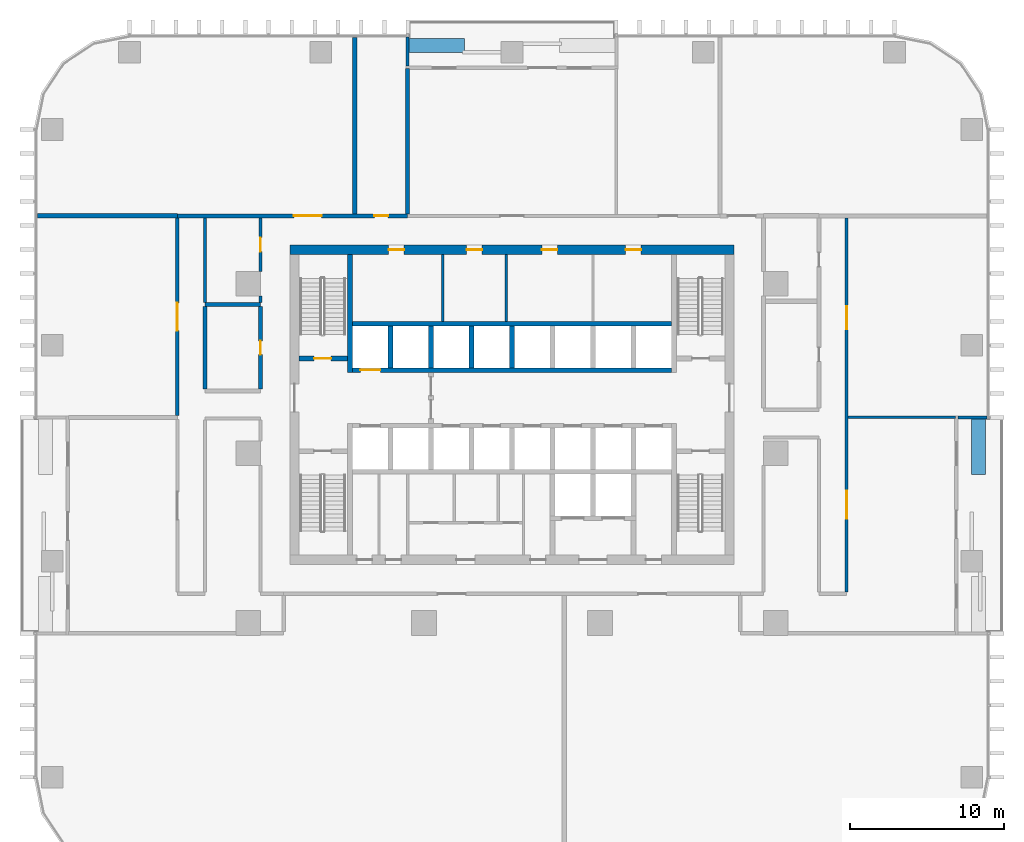
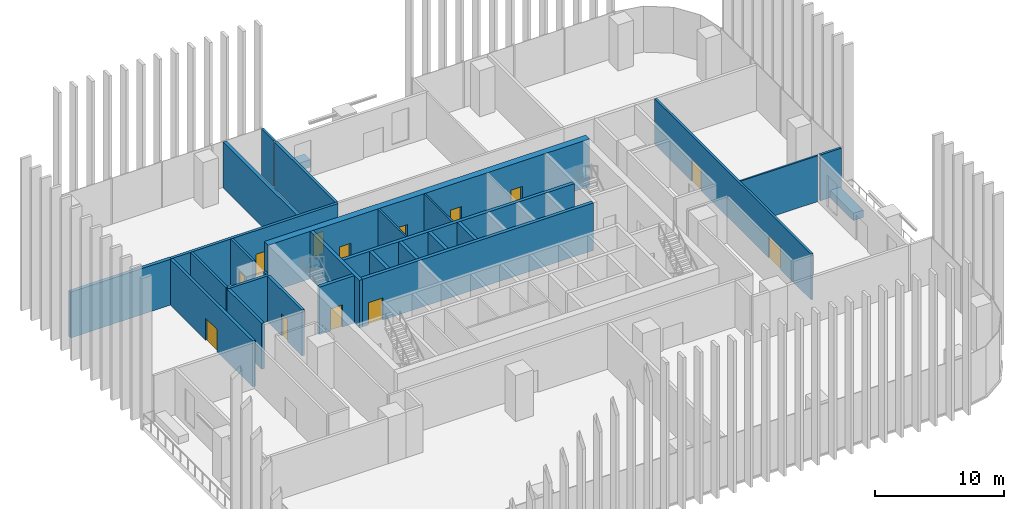
# One storey, part 9 of 17: 28 walls, 13 doors, 13 openings.
"""IFC4 building model written with IfcOpenShell, lengths in metres."""

import ifcopenshell
import ifcopenshell.guid

model = None  # the IFC model being written
_history = None  # IfcOwnerHistory: only IFC2X3 demands one
_inside = {}  # id of a spatial element -> (the spatial element, [elements in it])
_under = {}  # id of a project, library or spatial element -> (it, [spatial elements below it])
_declared = {}  # id of a project -> (the project, [libraries it declares])
_typed = {}  # id of a type object -> (the type object, [elements of that type])
_made_of = {}  # id of a material, layer set ... -> (it, [elements and type objects made of it])


def new_model(schema):
    """Start an empty IFC model of exactly this schema.

    Asked for "IFC4X3", IfcOpenShell would pick the latest addendum, in which some entities
    have other attributes; the version numbers below select the first issue.
    IFC2X3 requires an IfcOwnerHistory on every rooted entity: one is made here for all.
    """
    global model, _history
    if schema == "IFC4X3":
        model = ifcopenshell.file(schema_version=(4, 3, 0, 0))
    else:
        model = ifcopenshell.file(schema=schema)
    _inside.clear()
    _under.clear()
    _declared.clear()
    _typed.clear()
    _made_of.clear()
    _history = None
    if model.schema == "IFC2X3":
        org = make("IfcOrganization", Name="unknown")
        user = make(
            "IfcPersonAndOrganization",
            ThePerson=make("IfcPerson", FamilyName="unknown"),
            TheOrganization=org,
        )
        app = make(
            "IfcApplication",
            ApplicationDeveloper=org,
            Version="unknown",
            ApplicationFullName="unknown",
            ApplicationIdentifier="unknown",
        )
        _history = make(
            "IfcOwnerHistory",
            OwningUser=user,
            OwningApplication=app,
            ChangeAction="ADDED",
            CreationDate=0,
        )
    return model


def make(cls, **values):
    """One entity of the class cls with the attributes given. An attribute that is None is left unset."""
    return model.create_entity(
        cls, **{name: value for name, value in values.items() if value is not None}
    )


def rooted(cls, **values):
    """An entity with a GlobalId (a new one), such as an element, a storey or a relation."""
    return make(cls, GlobalId=ifcopenshell.guid.new(), OwnerHistory=_history, **values)


def si_unit(unit_type, name, prefix=None):
    """IfcSIUnit, for example si_unit("LENGTHUNIT", "METRE", prefix="MILLI")."""
    return make("IfcSIUnit", UnitType=unit_type, Prefix=prefix, Name=name)


def assignment(units):
    """IfcUnitAssignment: the units of a project."""
    return None if units is None else make("IfcUnitAssignment", Units=units)


def point(xyz):
    """IfcCartesianPoint."""
    return None if xyz is None else make("IfcCartesianPoint", Coordinates=xyz)


def direction(xyz):
    """IfcDirection."""
    return None if xyz is None else make("IfcDirection", DirectionRatios=xyz)


def frame(location, z_axis=None, x_axis=None):
    """IfcAxis2Placement3D, a coordinate frame: its origin and axes. An axis left out is left unset."""
    return make(
        "IfcAxis2Placement3D",
        Location=point(location),
        Axis=direction(z_axis),
        RefDirection=direction(x_axis),
    )


def frame_2d(location, x_axis=None):
    """IfcAxis2Placement2D, a coordinate frame in the plane: its origin and x axis."""
    return make(
        "IfcAxis2Placement2D", Location=point(location), RefDirection=direction(x_axis)
    )


def origin():
    """The frame at (0, 0, 0) with its axes left unset."""
    return frame((0.0, 0.0, 0.0))


def place(relative_to, where):
    """IfcLocalPlacement: puts the frame where relative to a parent placement (None: the world)."""
    return make(
        "IfcLocalPlacement", PlacementRelTo=relative_to, RelativePlacement=where
    )


def context(
    kind, dimensions, precision=None, world=None, true_north=None, identifier=None
):
    """IfcGeometricRepresentationContext, for example the 3D "Model" context."""
    return make(
        "IfcGeometricRepresentationContext",
        ContextIdentifier=identifier,
        ContextType=kind,
        CoordinateSpaceDimension=dimensions,
        Precision=precision,
        WorldCoordinateSystem=world,
        TrueNorth=true_north,
    )


def subcontext(parent, identifier, kind, view, scale=None):
    """IfcGeometricRepresentationSubContext, for example "Body" below "Model"."""
    return make(
        "IfcGeometricRepresentationSubContext",
        ContextIdentifier=identifier,
        ContextType=kind,
        ParentContext=parent,
        TargetScale=scale,
        TargetView=view,
    )


def project(units=None, contexts=None):
    """IfcProject with its units and contexts."""
    return rooted(
        "IfcProject",
        Name="project",
        RepresentationContexts=contexts,
        UnitsInContext=assignment(units),
    )


def spatial(cls, under=None, at=None, **own):
    """A site, building, storey or space (cls), placed at a placement, below another one or the project."""
    s = rooted(cls, ObjectPlacement=at, **own)
    if under is not None:
        _under.setdefault(under.id(), (under, []))[1].append(s)
    return s


def profile(cls, at=None, kind="AREA", **sizes):
    """A parametric profile (cls). Its sizes go by their IFC names, for example OverallWidth=200.0."""
    return make(cls, ProfileType=kind, Position=at, **sizes)


def rectangle(**sizes):
    """IfcRectangleProfileDef."""
    return profile("IfcRectangleProfileDef", **sizes)


def extrude(swept, where, along, depth):
    """IfcExtrudedAreaSolid: the profile swept, set in the frame where, extruded along a direction by depth."""
    return make(
        "IfcExtrudedAreaSolid",
        SweptArea=swept,
        Position=where,
        ExtrudedDirection=direction(along),
        Depth=depth,
    )


def shape(context_of_items, identifier, shape_type, items):
    """IfcShapeRepresentation: the items that make up one representation, for example the "Body"."""
    return make(
        "IfcShapeRepresentation",
        ContextOfItems=context_of_items,
        RepresentationIdentifier=identifier,
        RepresentationType=shape_type,
        Items=items,
    )


def material(Name=None, Category=None):
    """IfcMaterial."""
    return make("IfcMaterial", Name=Name, Category=Category)


def layer(
    of_material, thickness, ventilated=None, Name=None, Category=None, Priority=None
):
    """IfcMaterialLayer: one layer of a wall or slab, of a material (None: an air gap)."""
    return make(
        "IfcMaterialLayer",
        Material=of_material,
        LayerThickness=thickness,
        IsVentilated=ventilated,
        Name=Name,
        Category=Category,
        Priority=Priority,
    )


def layer_set(layers, Name=None):
    """IfcMaterialLayerSet."""
    return make("IfcMaterialLayerSet", MaterialLayers=layers, LayerSetName=Name)


def made_of(thing, what):
    """Note that an element or type object is made of a material, layer set ...; save() writes the relation."""
    if what is not None:
        _made_of.setdefault(what.id(), (what, []))[1].append(thing)
    return thing


def type_object(cls, material=None, **own):
    """A type object (cls), such as IfcWallType, which elements share."""
    return made_of(rooted(cls, **own), material)


def element(
    cls,
    number,
    at=None,
    inside=None,
    cuts=None,
    type_object=None,
    material=None,
    context=None,
    identifier="Body",
    shape_type=None,
    held_by="IfcProductDefinitionShape",
    body=None,
    shapes=None,
    **own,
):
    """One element of the class cls, such as IfcWall. Its Tag is "e" and its number.

    at: its placement. inside: the storey or other place that contains it. cuts: it is an
    opening in that element (IfcRelVoidsElement). A single representation is given by context,
    identifier, shape_type and body (its items); several are given by shapes. held_by: the class
    of the entity that holds the representations. save() writes the other relations.
    """
    e = rooted(cls, Tag="e%d" % number, ObjectPlacement=at, **own)
    if body is not None:
        shapes = [shape(context, identifier, shape_type, body)]
    if shapes is not None:
        e.Representation = make(held_by, Representations=shapes)
    if inside is not None:
        _inside.setdefault(inside.id(), (inside, []))[1].append(e)
    if cuts is not None:
        rooted(
            "IfcRelVoidsElement", RelatingBuildingElement=cuts, RelatedOpeningElement=e
        )
    if type_object is not None:
        _typed.setdefault(type_object.id(), (type_object, []))[1].append(e)
    return made_of(e, material)


def fill(opening, filler):
    """IfcRelFillsElement: the door or window that sits in an opening."""
    return rooted(
        "IfcRelFillsElement",
        RelatingOpeningElement=opening,
        RelatedBuildingElement=filler,
    )


def aggregate(whole, parts):
    """IfcRelAggregates: a whole, such as a stair, and the parts it consists of."""
    return rooted("IfcRelAggregates", RelatingObject=whole, RelatedObjects=parts)


def save(model, path):
    """Write the relations noted so far, then the file.

    IfcRelAggregates (storeys below a building ...), IfcRelContainedInSpatialStructure (elements
    in a storey), IfcRelDefinesByType, IfcRelAssociatesMaterial and IfcRelDeclares: one each for
    every whole, place, type object, material and project.
    """
    for whole, parts in _under.values():
        aggregate(whole, parts)
    for where, things in _inside.values():
        rooted(
            "IfcRelContainedInSpatialStructure",
            RelatedElements=things,
            RelatingStructure=where,
        )
    for kind, things in _typed.values():
        rooted("IfcRelDefinesByType", RelatedObjects=things, RelatingType=kind)
    for what, things in _made_of.values():
        rooted("IfcRelAssociatesMaterial", RelatedObjects=things, RelatingMaterial=what)
    for by, libraries in _declared.values():
        rooted("IfcRelDeclares", RelatingContext=by, RelatedDefinitions=libraries)
    model.write(path)


model = new_model("IFC4")

# Units and contexts
model_context = context("Model", 3, precision=1e-05, world=origin(), true_north=direction((0.0, 1.0)))
body_context = subcontext(model_context, "Body", "Model", "MODEL_VIEW")
ifc_project = project(units=[si_unit("LENGTHUNIT", "METRE"), si_unit("AREAUNIT", "SQUARE_METRE"), si_unit("VOLUMEUNIT", "CUBIC_METRE"), si_unit("PLANEANGLEUNIT", "RADIAN"), si_unit("MASSUNIT", "GRAM", prefix="KILO")], contexts=[model_context])

# Site, building, storey
site_placement = place(None, origin())
site = spatial("IfcSite", under=ifc_project, at=site_placement, CompositionType="ELEMENT")
building_placement = place(site_placement, origin())
building = spatial("IfcBuilding", under=site, at=building_placement, Name="Mopane Tessera Tower", CompositionType="ELEMENT")
storey_placement = place(building_placement, frame((0.0, 0.0, 31.0)))
storey = spatial("IfcBuildingStorey", under=building, at=storey_placement, Name="L05", CompositionType="ELEMENT", Elevation=31.0)

# Walls
ifc_material_1 = material(Name="Fire-rated gypsum board partition")
ifc_layer_1 = layer(ifc_material_1, 0.14990234375)
ifc_layer_set_1 = layer_set([ifc_layer_1], Name="Fire-rated gypsum board partition")
wall_type_1 = type_object("IfcWallType", Name="Core room partition 150 mm", PredefinedType="PARTITIONING", material=ifc_layer_set_1)
for number, where, z_axis, x_axis, name in (
    (1, (-4.5, 8.550048828125, 0.0), (0.0, 0.0, 1.0), (0.0, 1.0, 0.0), "L05 Room partition"),
    (2, (-0.375, 8.550048828125, 0.0), (0.0, 0.0, 1.0), (0.0, 1.0, 0.0), "L05 Room partition"),
):
    element("IfcWall", number, at=place(storey_placement, frame(where, z_axis=z_axis, x_axis=x_axis)), inside=storey, type_object=wall_type_1, Name=name, PredefinedType="PARTITIONING", context=body_context, shape_type="SweptSolid", body=[
        extrude(rectangle(XDim=4.349853515625, YDim=0.14990234375, at=frame_2d((2.1748046875, 0.0))), origin(), (0.0, 0.0, 1.0), 4.5),
    ])

# Wall, openings, doors
ifc_material_2 = material(Name="Concrete C70/85", Category="concrete")
ifc_layer_2 = layer(ifc_material_2, 0.60009765625)
ifc_layer_set_2 = layer_set([ifc_layer_2], Name="Concrete C70/85")
wall_type_2 = type_object("IfcWallType", Name="Core shear wall 600 mm", PredefinedType="SHEAR", material=ifc_layer_set_2)
wall_1_placement = place(storey_placement, frame((-14.39990234375, 13.199951171875, 0.0), z_axis=(0.0, 0.0, 1.0), x_axis=(1.0, 0.0, 0.0)))
wall_1 = element("IfcWall", 3, at=wall_1_placement, inside=storey, type_object=wall_type_2, Name="L05 Core wall north", PredefinedType="SHEAR", context=body_context, shape_type="SweptSolid", body=[
    extrude(rectangle(XDim=28.7998046875, YDim=0.60009765625, at=frame_2d((14.39990234375, 0.0))), origin(), (0.0, 0.0, 1.0), 4.5),
])
opening_1_placement = place(wall_1_placement, frame((6.39990234375, 0.0, 0.0)))
opening_1 = element("IfcOpeningElement", 4, at=opening_1_placement, cuts=wall_1, Name="Opening RD1", PredefinedType="OPENING", context=body_context, shape_type="SweptSolid", body=[
    extrude(rectangle(XDim=1.0, YDim=2.10009765625, at=frame_2d((0.5, 1.050048828125))), frame((0.0, 0.31201171875, 0.0), z_axis=(0.0, -1.0, 0.0), x_axis=(1.0, 0.0, 0.0)), (0.0, 0.0, 1.0), 0.6240234375),
])
opening_2_placement = place(wall_1_placement, frame((11.46240234375, 0.0, 0.0)))
opening_2 = element("IfcOpeningElement", 5, at=opening_2_placement, cuts=wall_1, Name="Opening RD1", PredefinedType="OPENING", context=body_context, shape_type="SweptSolid", body=[
    extrude(rectangle(XDim=1.0, YDim=2.10009765625, at=frame_2d((0.5, 1.050048828125))), frame((0.0, 0.31201171875, 0.0), z_axis=(0.0, -1.0, 0.0), x_axis=(1.0, 0.0, 0.0)), (0.0, 0.0, 1.0), 0.6240234375),
])
opening_3_placement = place(wall_1_placement, frame((16.33740234375, 0.0, 0.0)))
opening_3 = element("IfcOpeningElement", 6, at=opening_3_placement, cuts=wall_1, Name="Opening RD1", PredefinedType="OPENING", context=body_context, shape_type="SweptSolid", body=[
    extrude(rectangle(XDim=1.0, YDim=2.10009765625, at=frame_2d((0.5, 1.050048828125))), frame((0.0, 0.31201171875, 0.0), z_axis=(0.0, -1.0, 0.0), x_axis=(1.0, 0.0, 0.0)), (0.0, 0.0, 1.0), 0.6240234375),
])
opening_4_placement = place(wall_1_placement, frame((21.77490234375, 0.0, 0.0)))
opening_4 = element("IfcOpeningElement", 7, at=opening_4_placement, cuts=wall_1, Name="Opening RD1", PredefinedType="OPENING", context=body_context, shape_type="SweptSolid", body=[
    extrude(rectangle(XDim=1.0, YDim=2.10009765625, at=frame_2d((0.5, 1.050048828125))), frame((0.0, 0.31201171875, 0.0), z_axis=(0.0, -1.0, 0.0), x_axis=(1.0, 0.0, 0.0)), (0.0, 0.0, 1.0), 0.6240234375),
])
ifc_material_3 = material(Name="Timber door", Category="wood")
door_type_1 = type_object("IfcDoorType", Name="Core room door 1000 x 2100", OperationType="SINGLE_SWING_LEFT", PredefinedType="DOOR", material=ifc_material_3)
door_1_placement = place(opening_1_placement, origin())
door_1 = element("IfcDoor", 8, at=door_1_placement, inside=storey, type_object=door_type_1, Name="L05 Room door", OperationType="SINGLE_SWING_LEFT", OverallHeight=2.10009765625, OverallWidth=1.0, PredefinedType="DOOR", context=body_context, shape_type="SweptSolid", body=[
    extrude(rectangle(XDim=1.0, YDim=2.10009765625, at=frame_2d((0.5, 1.050048828125))), frame((0.0, 0.02490234375, 0.0), z_axis=(0.0, -1.0, 0.0), x_axis=(1.0, 0.0, 0.0)), (0.0, 0.0, 1.0), 0.050048828125),
])
fill(opening_1, door_1)
door_2_placement = place(opening_2_placement, origin())
door_2 = element("IfcDoor", 9, at=door_2_placement, inside=storey, type_object=door_type_1, Name="L05 Room door", OperationType="SINGLE_SWING_LEFT", OverallHeight=2.10009765625, OverallWidth=1.0, PredefinedType="DOOR", context=body_context, shape_type="SweptSolid", body=[
    extrude(rectangle(XDim=1.0, YDim=2.10009765625, at=frame_2d((0.5, 1.050048828125))), frame((0.0, 0.02490234375, 0.0), z_axis=(0.0, -1.0, 0.0), x_axis=(1.0, 0.0, 0.0)), (0.0, 0.0, 1.0), 0.050048828125),
])
fill(opening_2, door_2)
door_3_placement = place(opening_3_placement, origin())
door_3 = element("IfcDoor", 10, at=door_3_placement, inside=storey, type_object=door_type_1, Name="L05 Room door", OperationType="SINGLE_SWING_LEFT", OverallHeight=2.10009765625, OverallWidth=1.0, PredefinedType="DOOR", context=body_context, shape_type="SweptSolid", body=[
    extrude(rectangle(XDim=1.0, YDim=2.10009765625, at=frame_2d((0.5, 1.050048828125))), frame((0.0, 0.02490234375, 0.0), z_axis=(0.0, -1.0, 0.0), x_axis=(1.0, 0.0, 0.0)), (0.0, 0.0, 1.0), 0.050048828125),
])
fill(opening_3, door_3)
door_4_placement = place(opening_4_placement, origin())
door_4 = element("IfcDoor", 11, at=door_4_placement, inside=storey, type_object=door_type_1, Name="L05 Room door", OperationType="SINGLE_SWING_LEFT", OverallHeight=2.10009765625, OverallWidth=1.0, PredefinedType="DOOR", context=body_context, shape_type="SweptSolid", body=[
    extrude(rectangle(XDim=1.0, YDim=2.10009765625, at=frame_2d((0.5, 1.050048828125))), frame((0.0, 0.02490234375, 0.0), z_axis=(0.0, -1.0, 0.0), x_axis=(1.0, 0.0, 0.0)), (0.0, 0.0, 1.0), 0.050048828125),
])
fill(opening_4, door_4)

# Walls
ifc_material_4 = material(Name="Concrete C60/75", Category="concrete")
ifc_layer_3 = layer(ifc_material_4, 0.300048828125)
ifc_layer_set_3 = layer_set([ifc_layer_3], Name="Concrete C60/75")
wall_type_3 = type_object("IfcWallType", Name="Core spine wall 300 mm", PredefinedType="SHEAR", material=ifc_layer_set_3)
wall_2_placement = place(storey_placement, frame((-10.5, 5.25, 0.0), z_axis=(0.0, 0.0, 1.0), x_axis=(0.0, 1.0, 0.0)))
element("IfcWall", 12, at=wall_2_placement, inside=storey, type_object=wall_type_3, Name="L05 Core spine wall", PredefinedType="SHEAR", context=body_context, shape_type="SweptSolid", body=[
    extrude(rectangle(XDim=7.64990234375, YDim=0.300048828125, at=frame_2d((3.824951171875, 0.0))), origin(), (0.0, 0.0, 1.0), 4.5),
])
ifc_material_5 = material(Name="Gypsum board on steel studs, two layers each face, mineral wool infill", Category="steel")
ifc_layer_4 = layer(ifc_material_5, 0.199951171875)
ifc_layer_set_4 = layer_set([ifc_layer_4], Name="Gypsum board on steel studs, two layers each face, mineral wool infill")
wall_type_4 = type_object("IfcWallType", Name="Gypsum board corridor wall 200, rated EI 60", PredefinedType="PARTITIONING", material=ifc_layer_set_4)
wall_3_placement = place(storey_placement, frame((-19.89990234375, 9.780029296875, 0.0), z_axis=(0.0, 0.0, 1.0), x_axis=(0.0, 1.0, 0.0)))
element("IfcWall", 13, at=wall_3_placement, inside=storey, type_object=wall_type_4, Name="Partition L05:026", PredefinedType="PARTITIONING", context=body_context, shape_type="SweptSolid", body=[
    extrude(rectangle(XDim=5.494873046875, YDim=0.199951171875, at=frame_2d((2.74755859375, 0.0))), origin(), (0.0, 0.0, 1.0), 4.35009765625),
])
wall_4_placement = place(storey_placement, frame((-16.300048828125, 9.780029296875, 0.0), z_axis=(0.0, 0.0, 1.0), x_axis=(0.0, 1.0, 0.0)))
element("IfcWall", 14, at=wall_4_placement, inside=storey, type_object=wall_type_4, Name="Partition L05:030", PredefinedType="PARTITIONING", context=body_context, shape_type="SweptSolid", body=[
    extrude(rectangle(XDim=0.419921875, YDim=0.199951171875, at=frame_2d((0.2099609375, 0.0))), origin(), (0.0, 0.0, 1.0), 4.35009765625),
])

# Wall, opening, door
wall_5_placement = place(storey_placement, frame((-16.300048828125, 11.800048828125, 0.0), z_axis=(0.0, 0.0, 1.0), x_axis=(0.0, 1.0, 0.0)))
wall_5 = element("IfcWall", 15, at=wall_5_placement, inside=storey, type_object=wall_type_4, Name="Partition L05:031", PredefinedType="PARTITIONING", context=body_context, shape_type="SweptSolid", body=[
    extrude(rectangle(XDim=3.474853515625, YDim=0.199951171875, at=frame_2d((1.7373046875, 0.0))), origin(), (0.0, 0.0, 1.0), 4.35009765625),
])
opening_5_placement = place(wall_5_placement, frame((1.28759765625, 0.0, 0.0)))
opening_5 = element("IfcOpeningElement", 16, at=opening_5_placement, cuts=wall_5, Name="Opening L05-14", PredefinedType="OPENING", context=body_context, shape_type="SweptSolid", body=[
    extrude(rectangle(XDim=0.89990234375, YDim=2.10009765625, at=frame_2d((0.449951171875, 1.050048828125))), frame((0.0, 0.112060546875, 0.0), z_axis=(0.0, -1.0, 0.0), x_axis=(1.0, 0.0, 0.0)), (0.0, 0.0, 1.0), 0.223876953125),
])
ifc_material_6 = material(Name="Timber veneered steel-framed fire door", Category="steel")
door_type_2 = type_object("IfcDoorType", Name="Fire door FD60 900 x 2100", OperationType="SINGLE_SWING_LEFT", PredefinedType="DOOR", material=ifc_material_6)
door_5_placement = place(opening_5_placement, origin())
door_5 = element("IfcDoor", 17, at=door_5_placement, inside=storey, type_object=door_type_2, Name="Door L05-14", ObjectType="D10A", OperationType="SINGLE_SWING_LEFT", OverallHeight=2.10009765625, OverallWidth=0.89990234375, PredefinedType="DOOR", context=body_context, shape_type="SweptSolid", body=[
    extrude(rectangle(XDim=0.89990234375, YDim=2.10009765625, at=frame_2d((0.449951171875, 1.050048828125))), frame((0.0, 0.02490234375, 0.0), z_axis=(0.0, -1.0, 0.0), x_axis=(1.0, 0.0, 0.0)), (0.0, 0.0, 1.0), 0.050048828125),
])
fill(opening_5, door_5)

# Wall, openings, doors
wall_6_placement = place(storey_placement, frame((21.699951171875, -9.0, 0.0), z_axis=(0.0, 0.0, 1.0), x_axis=(0.0, 1.0, 0.0)))
wall_6 = element("IfcWall", 18, at=wall_6_placement, inside=storey, type_object=wall_type_4, Name="Partition L05:045", PredefinedType="PARTITIONING", context=body_context, shape_type="SweptSolid", body=[
    extrude(rectangle(XDim=24.27490234375, YDim=0.199951171875, at=frame_2d((12.137451171875, 0.0))), origin(), (0.0, 0.0, 1.0), 4.35009765625),
])
opening_6_placement = place(wall_6_placement, frame((4.767578125, 0.0, 0.0)))
opening_6 = element("IfcOpeningElement", 19, at=opening_6_placement, cuts=wall_6, Name="Opening L05-05", PredefinedType="OPENING", context=body_context, shape_type="SweptSolid", body=[
    extrude(rectangle(XDim=1.800048828125, YDim=2.10009765625, at=frame_2d((0.89990234375, 1.050048828125))), frame((0.0, 0.112060546875, 0.0), z_axis=(0.0, -1.0, 0.0), x_axis=(1.0, 0.0, 0.0)), (0.0, 0.0, 1.0), 0.223876953125),
])
opening_7_placement = place(wall_6_placement, frame((17.054931640625, 0.0, 0.0)))
opening_7 = element("IfcOpeningElement", 20, at=opening_7_placement, cuts=wall_6, Name="Opening L05-06", PredefinedType="OPENING", context=body_context, shape_type="SweptSolid", body=[
    extrude(rectangle(XDim=1.5, YDim=2.10009765625, at=frame_2d((0.75, 1.050048828125))), frame((0.0, 0.112060546875, 0.0), z_axis=(0.0, -1.0, 0.0), x_axis=(1.0, 0.0, 0.0)), (0.0, 0.0, 1.0), 0.223876953125),
])
ifc_material_7 = material(Name="Timber veneered steel-framed fire door", Category="steel")
door_type_3 = type_object("IfcDoorType", Name="Fire door pair FD60 1500 x 2100", OperationType="DOUBLE_DOOR_SINGLE_SWING", PredefinedType="DOOR", material=ifc_material_7)
door_6_placement = place(opening_7_placement, origin())
door_6 = element("IfcDoor", 21, at=door_6_placement, inside=storey, type_object=door_type_3, Name="Door L05-06", ObjectType="D17A", OperationType="DOUBLE_DOOR_SINGLE_SWING", OverallHeight=2.10009765625, OverallWidth=1.5, PredefinedType="DOOR", context=body_context, shape_type="SweptSolid", body=[
    extrude(rectangle(XDim=1.5, YDim=2.10009765625, at=frame_2d((0.75, 1.050048828125))), frame((0.0, 0.02490234375, 0.0), z_axis=(0.0, -1.0, 0.0), x_axis=(1.0, 0.0, 0.0)), (0.0, 0.0, 1.0), 0.050048828125),
])
fill(opening_7, door_6)
ifc_material_8 = material(Name="Timber veneered steel-framed fire door", Category="steel")
door_type_4 = type_object("IfcDoorType", Name="Fire door pair FD60 1800 x 2100", OperationType="DOUBLE_DOOR_SINGLE_SWING", PredefinedType="DOOR", material=ifc_material_8)
door_7_placement = place(opening_6_placement, origin())
door_7 = element("IfcDoor", 22, at=door_7_placement, inside=storey, type_object=door_type_4, Name="Door L05-05", ObjectType="D20A", OperationType="DOUBLE_DOOR_SINGLE_SWING", OverallHeight=2.10009765625, OverallWidth=1.800048828125, PredefinedType="DOOR", context=body_context, shape_type="SweptSolid", body=[
    extrude(rectangle(XDim=1.800048828125, YDim=2.10009765625, at=frame_2d((0.89990234375, 1.050048828125))), frame((0.0, 0.02490234375, 0.0), z_axis=(0.0, -1.0, 0.0), x_axis=(1.0, 0.0, 0.0)), (0.0, 0.0, 1.0), 0.050048828125),
])
fill(opening_6, door_7)

# Wall
ifc_material_9 = material(Name="Gypsum board on steel studs, mineral wool infill", Category="steel")
ifc_layer_5 = layer(ifc_material_9, 0.14990234375)
ifc_layer_set_5 = layer_set([ifc_layer_5], Name="Gypsum board on steel studs, mineral wool infill")
wall_type_5 = type_object("IfcWallType", Name="Gypsum board partition 150, rated EI 60", PredefinedType="PARTITIONING", material=ifc_layer_set_5)
wall_7_placement = place(storey_placement, frame((21.800048828125, 2.3349609375, 0.0), z_axis=(0.0, 0.0, 1.0), x_axis=(1.0, 0.0, 0.0)))
element("IfcWall", 23, at=wall_7_placement, inside=storey, type_object=wall_type_5, Name="Partition L05:011", PredefinedType="PARTITIONING", context=body_context, shape_type="SweptSolid", body=[
    extrude(rectangle(XDim=6.949951171875, YDim=0.14990234375, at=frame_2d((3.47509765625, 0.0))), origin(), (0.0, 0.0, 1.0), 4.35009765625),
])

# Wall, opening, door
ifc_material_10 = material(Name="Concrete C50/60", Category="concrete")
ifc_layer_6 = layer(ifc_material_10, 0.300048828125)
ifc_layer_set_6 = layer_set([ifc_layer_6], Name="Concrete C50/60")
wall_type_6 = type_object("IfcWallType", Name="Lift and stair shaft wall 300 mm", PredefinedType="SOLIDWALL", material=ifc_layer_set_6)
wall_8_placement = place(storey_placement, frame((-13.800048828125, 6.14990234375, 0.0), z_axis=(0.0, 0.0, 1.0), x_axis=(1.0, 0.0, 0.0)))
wall_8 = element("IfcWall", 24, at=wall_8_placement, inside=storey, type_object=wall_type_6, Name="L05 Stair enclosure wall", PredefinedType="SOLIDWALL", context=body_context, shape_type="SweptSolid", body=[
    extrude(rectangle(XDim=3.150146484375, YDim=0.300048828125, at=frame_2d((1.5751953125, 0.0))), origin(), (0.0, 0.0, 1.0), 4.5),
])
opening_8_placement = place(wall_8_placement, frame((0.97509765625, 0.0, 0.0)))
opening_8 = element("IfcOpeningElement", 25, at=opening_8_placement, cuts=wall_8, Name="Opening SD1", PredefinedType="OPENING", context=body_context, shape_type="SweptSolid", body=[
    extrude(rectangle(XDim=1.10009765625, YDim=2.10009765625, at=frame_2d((0.550048828125, 1.050048828125))), frame((0.0, 0.162109375, 0.0), z_axis=(0.0, -1.0, 0.0), x_axis=(1.0, 0.0, 0.0)), (0.0, 0.0, 1.0), 0.323974609375),
])
ifc_material_11 = material(Name="Steel fire door", Category="steel")
door_type_5 = type_object("IfcDoorType", Name="Stair fire door 1100 x 2100", OperationType="SINGLE_SWING_LEFT", PredefinedType="DOOR", material=ifc_material_11)
door_8_placement = place(opening_8_placement, origin())
door_8 = element("IfcDoor", 26, at=door_8_placement, inside=storey, type_object=door_type_5, Name="L05 Stair door ST2", OperationType="SINGLE_SWING_LEFT", OverallHeight=2.10009765625, OverallWidth=1.10009765625, PredefinedType="DOOR", context=body_context, shape_type="SweptSolid", body=[
    extrude(rectangle(XDim=1.10009765625, YDim=2.10009765625, at=frame_2d((0.550048828125, 1.050048828125))), frame((0.0, 0.02490234375, 0.0), z_axis=(0.0, -1.0, 0.0), x_axis=(1.0, 0.0, 0.0)), (0.0, 0.0, 1.0), 0.050048828125),
])
fill(opening_8, door_8)

wall_9_placement = place(storey_placement, frame((-10.35009765625, 5.39990234375, 0.0), z_axis=(0.0, 0.0, 1.0), x_axis=(1.0, 0.0, 0.0)))
wall_9 = element("IfcWall", 27, at=wall_9_placement, inside=storey, type_object=wall_type_6, Name="L05 Lift shaft front wall", PredefinedType="SOLIDWALL", context=body_context, shape_type="SweptSolid", body=[
    extrude(rectangle(XDim=20.7001953125, YDim=0.300048828125, at=frame_2d((10.35009765625, 0.0))), origin(), (0.0, 0.0, 1.0), 4.5),
])
opening_9_placement = place(wall_9_placement, frame((0.512451171875, 0.0, 0.0)))
opening_9 = element("IfcOpeningElement", 28, at=opening_9_placement, cuts=wall_9, Name="Opening LD2", PredefinedType="OPENING", context=body_context, shape_type="SweptSolid", body=[
    extrude(rectangle(XDim=1.300048828125, YDim=2.10009765625, at=frame_2d((0.64990234375, 1.050048828125))), frame((0.0, 0.162109375, 0.0), z_axis=(0.0, -1.0, 0.0), x_axis=(1.0, 0.0, 0.0)), (0.0, 0.0, 1.0), 0.323974609375),
])
ifc_material_12 = material(Name="Stainless steel sliding door", Category="steel")
door_type_6 = type_object("IfcDoorType", Name="Fire-fighting lift landing door 1300 x 2100", OperationType="DOUBLE_DOOR_SLIDING", PredefinedType="DOOR", material=ifc_material_12)
door_9_placement = place(opening_9_placement, origin())
door_9 = element("IfcDoor", 29, at=door_9_placement, inside=storey, type_object=door_type_6, Name="L05 Lift landing door FF2", OperationType="DOUBLE_DOOR_SLIDING", OverallHeight=2.10009765625, OverallWidth=1.300048828125, PredefinedType="DOOR", context=body_context, shape_type="SweptSolid", body=[
    extrude(rectangle(XDim=1.300048828125, YDim=2.10009765625, at=frame_2d((0.64990234375, 1.050048828125))), frame((0.0, 0.02490234375, 0.0), z_axis=(0.0, -1.0, 0.0), x_axis=(1.0, 0.0, 0.0)), (0.0, 0.0, 1.0), 0.050048828125),
])
fill(opening_9, door_9)

# Walls
wall_10_placement = place(storey_placement, frame((-10.35009765625, 8.39990234375, 0.0), z_axis=(0.0, 0.0, 1.0), x_axis=(1.0, 0.0, 0.0)))
element("IfcWall", 30, at=wall_10_placement, inside=storey, type_object=wall_type_6, Name="L05 Lift shaft rear wall", PredefinedType="SOLIDWALL", context=body_context, shape_type="SweptSolid", body=[
    extrude(rectangle(XDim=20.7001953125, YDim=0.300048828125, at=frame_2d((10.35009765625, 0.0))), origin(), (0.0, 0.0, 1.0), 4.5),
])
for number, where, z_axis, x_axis, name in (
    (31, (-7.875, 5.550048828125, 0.0), (0.0, 0.0, 1.0), (0.0, 1.0, 0.0), "L05 Lift shaft wall"),
    (32, (-5.25, 5.550048828125, 0.0), (0.0, 0.0, 1.0), (0.0, 1.0, 0.0), "L05 Lift shaft wall"),
    (33, (-2.625, 5.550048828125, 0.0), (0.0, 0.0, 1.0), (0.0, 1.0, 0.0), "L05 Lift shaft wall"),
    (34, (0.0, 5.550048828125, 0.0), (0.0, 0.0, 1.0), (0.0, 1.0, 0.0), "L05 Lift shaft wall"),
):
    element("IfcWall", number, at=place(storey_placement, frame(where, z_axis=z_axis, x_axis=x_axis)), inside=storey, type_object=wall_type_6, Name=name, PredefinedType="SOLIDWALL", context=body_context, shape_type="SweptSolid", body=[
        extrude(rectangle(XDim=2.699951171875, YDim=0.300048828125, at=frame_2d((1.35009765625, 0.0))), origin(), (0.0, 0.0, 1.0), 4.5),
    ])
ifc_material_13 = material(Name="Reinforced concrete C32/40 with waterproofing", Category="concrete")
ifc_layer_7 = layer(ifc_material_13, 0.89990234375)
ifc_layer_set_7 = layer_set([ifc_layer_7], Name="Reinforced concrete C32/40 with waterproofing")
wall_type_7 = type_object("IfcWallType", Name="Planter trough 3600 x 900", PredefinedType="STANDARD", material=ifc_layer_set_7)
wall_11_placement = place(storey_placement, frame((30.25, -1.36669921875, 0.0), z_axis=(0.0, 0.0, 1.0), x_axis=(0.0, 1.0, 0.0)))
element("IfcWall", 35, at=wall_11_placement, inside=storey, type_object=wall_type_7, Name="e:nw:L05:N1:pl1", PredefinedType="STANDARD", context=body_context, shape_type="SweptSolid", body=[
    extrude(rectangle(XDim=3.60009765625, YDim=0.89990234375, at=frame_2d((1.800048828125, 0.0))), origin(), (0.0, 0.0, 1.0), 0.699951171875),
])
wall_12_placement = place(storey_placement, frame((-3.063720703125, 26.449951171875, 0.0), z_axis=(0.0, 0.0, 1.0), x_axis=(-1.0, 0.0, 0.0)))
element("IfcWall", 36, at=wall_12_placement, inside=storey, type_object=wall_type_7, Name="e:nw:L05:N2:pl1", PredefinedType="STANDARD", context=body_context, shape_type="SweptSolid", body=[
    extrude(rectangle(XDim=3.599853515625, YDim=0.89990234375, at=frame_2d((1.7998046875, 0.0))), origin(), (0.0, 0.0, 1.0), 0.699951171875),
])
ifc_material_14 = material(Name="Plastered concrete blockwork C20/25", Category="masonry")
ifc_layer_8 = layer(ifc_material_14, 0.300048828125)
ifc_layer_set_8 = layer_set([ifc_layer_8], Name="Plastered concrete blockwork C20/25")
wall_type_8 = type_object("IfcWallType", Name="Plastered blockwork separation wall 300, rated EI 120", PredefinedType="PARTITIONING", material=ifc_layer_set_8)
wall_13_placement = place(storey_placement, frame((-30.75, 15.39990234375, 0.0), z_axis=(0.0, 0.0, 1.0), x_axis=(1.0, 0.0, 0.0)))
element("IfcWall", 37, at=wall_13_placement, inside=storey, type_object=wall_type_8, Name="Partition L05:021", PredefinedType="PARTITIONING", context=body_context, shape_type="SweptSolid", body=[
    extrude(rectangle(XDim=9.050048828125, YDim=0.300048828125, at=frame_2d((4.52490234375, 0.0))), origin(), (0.0, 0.0, 1.0), 4.35009765625),
])
wall_14_placement = place(storey_placement, frame((-10.18505859375, 15.52490234375, 0.0), z_axis=(0.0, 0.0, 1.0), x_axis=(0.0, 1.0, 0.0)))
element("IfcWall", 38, at=wall_14_placement, inside=storey, type_object=wall_type_8, Name="Partition L05:034", PredefinedType="PARTITIONING", context=body_context, shape_type="SweptSolid", body=[
    extrude(rectangle(XDim=11.425048828125, YDim=0.300048828125, at=frame_2d((5.71240234375, 0.0))), origin(), (0.0, 0.0, 1.0), 4.35009765625),
])
ifc_material_15 = material(Name="Plastered concrete blockwork C20/25", Category="masonry")
ifc_layer_9 = layer(ifc_material_15, 0.25)
ifc_layer_set_9 = layer_set([ifc_layer_9], Name="Plastered concrete blockwork C20/25")
wall_type_9 = type_object("IfcWallType", Name="Plastered blockwork wall 250, rated EI 120", PredefinedType="PARTITIONING", material=ifc_layer_set_9)
wall_15_placement = place(storey_placement, frame((-19.89990234375, 9.655029296875, 0.0), z_axis=(0.0, 0.0, 1.0), x_axis=(1.0, 0.0, 0.0)))
element("IfcWall", 39, at=wall_15_placement, inside=storey, type_object=wall_type_9, Name="Partition L05:015", PredefinedType="PARTITIONING", context=body_context, shape_type="SweptSolid", body=[
    extrude(rectangle(XDim=3.599853515625, YDim=0.25, at=frame_2d((1.7998046875, 0.0))), origin(), (0.0, 0.0, 1.0), 4.35009765625),
])

# Wall, openings, doors
wall_16_placement = place(storey_placement, frame((-21.699951171875, 15.39990234375, 0.0), z_axis=(0.0, 0.0, 1.0), x_axis=(1.0, 0.0, 0.0)))
wall_16 = element("IfcWall", 40, at=wall_16_placement, inside=storey, type_object=wall_type_9, Name="Partition L05:018", PredefinedType="PARTITIONING", context=body_context, shape_type="SweptSolid", body=[
    extrude(rectangle(XDim=14.93505859375, YDim=0.25, at=frame_2d((7.467529296875, 0.0))), origin(), (0.0, 0.0, 1.0), 4.35009765625),
])
opening_10_placement = place(wall_16_placement, frame((12.77490234375, 0.0, 0.0)))
opening_10 = element("IfcOpeningElement", 41, at=opening_10_placement, cuts=wall_16, Name="Opening L05-10", PredefinedType="OPENING", context=body_context, shape_type="SweptSolid", body=[
    extrude(rectangle(XDim=0.89990234375, YDim=2.10009765625, at=frame_2d((0.449951171875, 1.050048828125))), frame((0.0, 0.136962890625, 0.0), z_axis=(0.0, -1.0, 0.0), x_axis=(1.0, 0.0, 0.0)), (0.0, 0.0, 1.0), 0.27392578125),
])
opening_11_placement = place(wall_16_placement, frame((7.5576171875, 0.0, 0.0)))
opening_11 = element("IfcOpeningElement", 42, at=opening_11_placement, cuts=wall_16, Name="Opening L05-13", PredefinedType="OPENING", context=body_context, shape_type="SweptSolid", body=[
    extrude(rectangle(XDim=1.800048828125, YDim=2.10009765625, at=frame_2d((0.89990234375, 1.050048828125))), frame((0.0, 0.136962890625, 0.0), z_axis=(0.0, -1.0, 0.0), x_axis=(1.0, 0.0, 0.0)), (0.0, 0.0, 1.0), 0.27392578125),
])
ifc_material_16 = material(Name="Timber veneered steel-framed fire door", Category="steel")
door_type_7 = type_object("IfcDoorType", Name="Fire door FD120 900 x 2100", OperationType="SINGLE_SWING_LEFT", PredefinedType="DOOR", material=ifc_material_16)
door_10_placement = place(opening_10_placement, origin())
door_10 = element("IfcDoor", 43, at=door_10_placement, inside=storey, type_object=door_type_7, Name="Door L05-10", ObjectType="D10B", OperationType="SINGLE_SWING_RIGHT", OverallHeight=2.10009765625, OverallWidth=0.89990234375, PredefinedType="DOOR", context=body_context, shape_type="SweptSolid", body=[
    extrude(rectangle(XDim=0.89990234375, YDim=2.10009765625, at=frame_2d((0.449951171875, 1.050048828125))), frame((0.0, 0.02490234375, 0.0), z_axis=(0.0, -1.0, 0.0), x_axis=(1.0, 0.0, 0.0)), (0.0, 0.0, 1.0), 0.050048828125),
])
fill(opening_10, door_10)
ifc_material_17 = material(Name="Timber veneered steel-framed fire door", Category="steel")
door_type_8 = type_object("IfcDoorType", Name="Fire door pair FD120 1800 x 2100", OperationType="DOUBLE_DOOR_SINGLE_SWING", PredefinedType="DOOR", material=ifc_material_17)
door_11_placement = place(opening_11_placement, origin())
door_11 = element("IfcDoor", 44, at=door_11_placement, inside=storey, type_object=door_type_8, Name="Door L05-13", ObjectType="D20B", OperationType="DOUBLE_DOOR_SINGLE_SWING", OverallHeight=2.10009765625, OverallWidth=1.800048828125, PredefinedType="DOOR", context=body_context, shape_type="SweptSolid", body=[
    extrude(rectangle(XDim=1.800048828125, YDim=2.10009765625, at=frame_2d((0.89990234375, 1.050048828125))), frame((0.0, 0.02490234375, 0.0), z_axis=(0.0, -1.0, 0.0), x_axis=(1.0, 0.0, 0.0)), (0.0, 0.0, 1.0), 0.050048828125),
])
fill(opening_11, door_11)

# Wall, opening, door
wall_17_placement = place(storey_placement, frame((-21.699951171875, 2.4599609375, 0.0), z_axis=(0.0, 0.0, 1.0), x_axis=(0.0, 1.0, 0.0)))
wall_17 = element("IfcWall", 45, at=wall_17_placement, inside=storey, type_object=wall_type_9, Name="Partition L05:024", PredefinedType="PARTITIONING", context=body_context, shape_type="SweptSolid", body=[
    extrude(rectangle(XDim=12.7900390625, YDim=0.25, at=frame_2d((6.39501953125, 0.0))), origin(), (0.0, 0.0, 1.0), 4.35009765625),
])
opening_12_placement = place(wall_17_placement, frame((5.4951171875, 0.0, 0.0)))
opening_12 = element("IfcOpeningElement", 46, at=opening_12_placement, cuts=wall_17, Name="Opening L05-08", PredefinedType="OPENING", context=body_context, shape_type="SweptSolid", body=[
    extrude(rectangle(XDim=1.800048828125, YDim=2.10009765625, at=frame_2d((0.89990234375, 1.050048828125))), frame((0.0, 0.136962890625, 0.0), z_axis=(0.0, -1.0, 0.0), x_axis=(1.0, 0.0, 0.0)), (0.0, 0.0, 1.0), 0.27392578125),
])
door_12_placement = place(opening_12_placement, origin())
door_12 = element("IfcDoor", 47, at=door_12_placement, inside=storey, type_object=door_type_8, Name="Door L05-08", ObjectType="D20B", OperationType="DOUBLE_DOOR_SINGLE_SWING", OverallHeight=2.10009765625, OverallWidth=1.800048828125, PredefinedType="DOOR", context=body_context, shape_type="SweptSolid", body=[
    extrude(rectangle(XDim=1.800048828125, YDim=2.10009765625, at=frame_2d((0.89990234375, 1.050048828125))), frame((0.0, 0.02490234375, 0.0), z_axis=(0.0, -1.0, 0.0), x_axis=(1.0, 0.0, 0.0)), (0.0, 0.0, 1.0), 0.050048828125),
])
fill(opening_12, door_12)

# Wall
wall_18_placement = place(storey_placement, frame((-19.89990234375, 4.175048828125, 0.0), z_axis=(0.0, 0.0, 1.0), x_axis=(0.0, 1.0, 0.0)))
element("IfcWall", 48, at=wall_18_placement, inside=storey, type_object=wall_type_9, Name="Partition L05:027", PredefinedType="PARTITIONING", context=body_context, shape_type="SweptSolid", body=[
    extrude(rectangle(XDim=5.35498046875, YDim=0.25, at=frame_2d((2.677490234375, 0.0))), origin(), (0.0, 0.0, 1.0), 4.35009765625),
])

# Wall, opening, door
wall_19_placement = place(storey_placement, frame((-16.300048828125, 4.175048828125, 0.0), z_axis=(0.0, 0.0, 1.0), x_axis=(0.0, 1.0, 0.0)))
wall_19 = element("IfcWall", 49, at=wall_19_placement, inside=storey, type_object=wall_type_9, Name="Partition L05:032", PredefinedType="PARTITIONING", context=body_context, shape_type="SweptSolid", body=[
    extrude(rectangle(XDim=5.35498046875, YDim=0.25, at=frame_2d((2.677490234375, 0.0))), origin(), (0.0, 0.0, 1.0), 4.35009765625),
])
opening_13_placement = place(wall_19_placement, frame((2.2275390625, 0.0, 0.0)))
opening_13 = element("IfcOpeningElement", 50, at=opening_13_placement, cuts=wall_19, Name="Opening L05-01", PredefinedType="OPENING", context=body_context, shape_type="SweptSolid", body=[
    extrude(rectangle(XDim=0.89990234375, YDim=2.10009765625, at=frame_2d((0.449951171875, 1.050048828125))), frame((0.0, 0.136962890625, 0.0), z_axis=(0.0, -1.0, 0.0), x_axis=(1.0, 0.0, 0.0)), (0.0, 0.0, 1.0), 0.27392578125),
])
door_13_placement = place(opening_13_placement, origin())
door_13 = element("IfcDoor", 51, at=door_13_placement, inside=storey, type_object=door_type_7, Name="Door L05-01", ObjectType="D10B", OperationType="SINGLE_SWING_LEFT", OverallHeight=2.10009765625, OverallWidth=0.89990234375, PredefinedType="DOOR", context=body_context, shape_type="SweptSolid", body=[
    extrude(rectangle(XDim=0.89990234375, YDim=2.10009765625, at=frame_2d((0.449951171875, 1.050048828125))), frame((0.0, 0.02490234375, 0.0), z_axis=(0.0, -1.0, 0.0), x_axis=(1.0, 0.0, 0.0)), (0.0, 0.0, 1.0), 0.050048828125),
])
fill(opening_13, door_13)

# Walls
wall_20_placement = place(storey_placement, frame((-6.764892578125, 15.52490234375, 0.0), z_axis=(0.0, 0.0, 1.0), x_axis=(0.0, 1.0, 0.0)))
element("IfcWall", 52, at=wall_20_placement, inside=storey, type_object=wall_type_9, Name="Partition L05:035", PredefinedType="PARTITIONING", context=body_context, shape_type="SweptSolid", body=[
    extrude(rectangle(XDim=9.425048828125, YDim=0.25, at=frame_2d((4.71240234375, 0.0))), origin(), (0.0, 0.0, 1.0), 4.35009765625),
])
ifc_material_18 = material(Name="Blockwork with glazed tile facing", Category="masonry")
ifc_layer_10 = layer(ifc_material_18, 0.199951171875)
ifc_layer_set_10 = layer_set([ifc_layer_10], Name="Blockwork with glazed tile facing")
wall_type_10 = type_object("IfcWallType", Name="Terrace cheek wall 200", PredefinedType="STANDARD", material=ifc_layer_set_10)
for number, where, z_axis, x_axis, name in (
    (53, (30.800048828125, 2.333251953125, 0.0), (0.0, 0.0, 1.0), (-1.0, 0.0, 0.0), "e:nw:L05:N1:cheekb"),
    (54, (-6.763671875, 27.0, 0.0), (0.0, 0.0, 1.0), (0.0, -1.0, 0.0), "e:nw:L05:N2:cheekb"),
):
    element("IfcWall", number, at=place(storey_placement, frame(where, z_axis=z_axis, x_axis=x_axis)), inside=storey, type_object=wall_type_10, Name=name, PredefinedType="STANDARD", context=body_context, shape_type="SweptSolid", body=[
        extrude(rectangle(XDim=1.875, YDim=0.199951171875, at=frame_2d((0.9375, 0.0))), origin(), (0.0, 0.0, 1.0), 4.35009765625),
    ])

save(model, "model.ifc")
